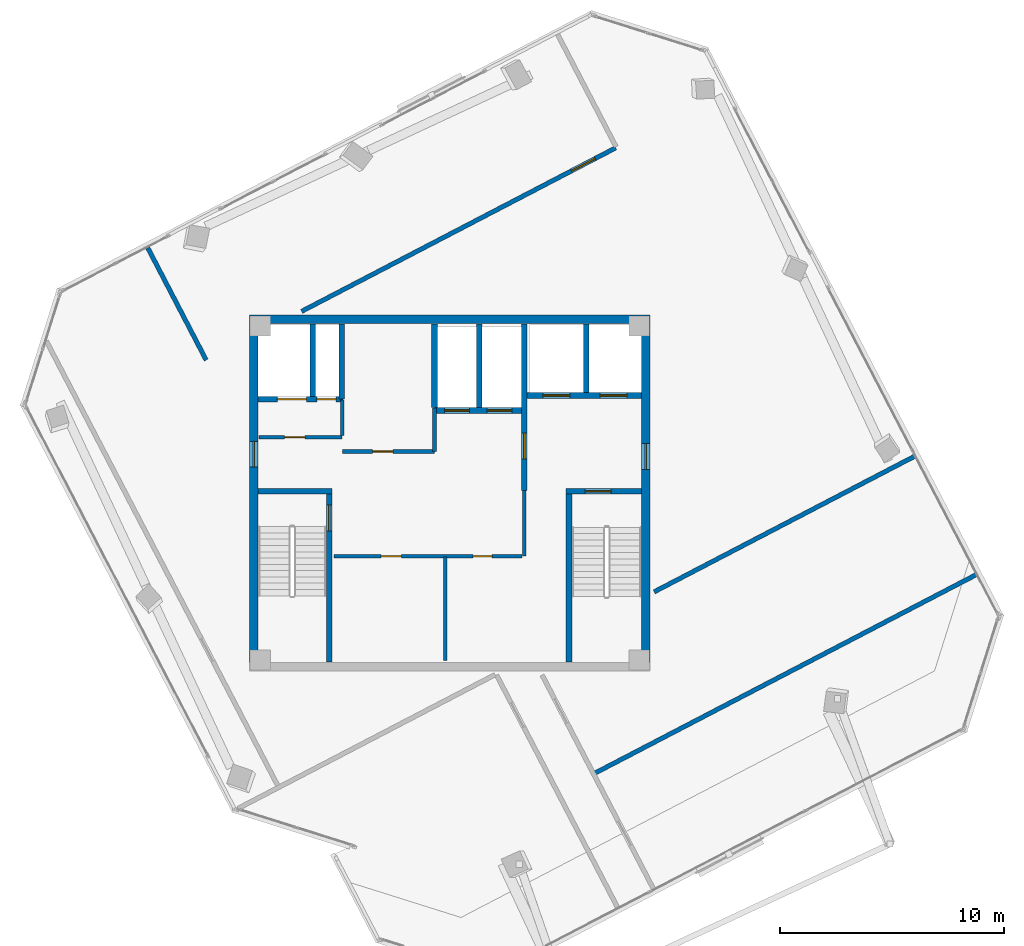
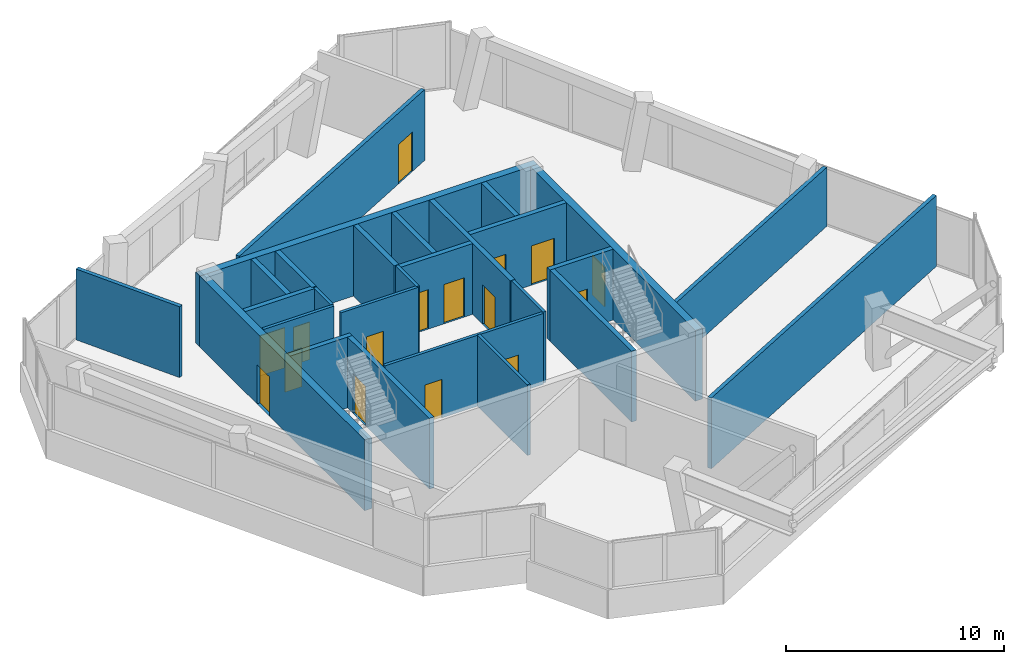
# One storey, part 12 of 16: 27 walls, 16 doors, 16 openings.
"""IFC4 building model written with IfcOpenShell, lengths in metres."""

from ifc_helpers import new_model, si_unit, direction, frame, frame_2d, origin, place, context, subcontext, project, spatial, rectangle, extrude, source, transform, mapped, material, layer, layer_set, type_object, element, fill, save


model = new_model("IFC4")

# Units and contexts
model_context = context("Model", 3, precision=1e-05, world=origin(), true_north=direction((0.0, 1.0)))
body_context = subcontext(model_context, "Body", "Model", "MODEL_VIEW")
ifc_project = project(units=[si_unit("LENGTHUNIT", "METRE"), si_unit("AREAUNIT", "SQUARE_METRE"), si_unit("VOLUMEUNIT", "CUBIC_METRE"), si_unit("PLANEANGLEUNIT", "RADIAN"), si_unit("MASSUNIT", "GRAM", prefix="KILO")], contexts=[model_context])

# Site, building, storey
site_placement = place(None, origin())
site = spatial("IfcSite", under=ifc_project, at=site_placement, CompositionType="ELEMENT")
building_placement = place(site_placement, origin())
building = spatial("IfcBuilding", under=site, at=building_placement, Name="Torre Montelarca", CompositionType="ELEMENT")
storey_placement = place(building_placement, frame((0.0, 0.0, 336.60009765625)))
storey = spatial("IfcBuildingStorey", under=building, at=storey_placement, Name="L76", CompositionType="ELEMENT", Elevation=336.60009765625)

# Wall, opening, door
ifc_material_1 = material(Name="Concrete C40/50", Category="concrete")
ifc_layer_1 = layer(ifc_material_1, 0.25, Name="Concrete C40/50", Category="concrete")
ifc_layer_set_1 = layer_set([ifc_layer_1], Name="Concrete C40/50")
wall_type_1 = type_object("IfcWallType", Name="CW-SHAFT-250", PredefinedType="SHEAR", material=ifc_layer_set_1)
wall_1_placement = place(storey_placement, frame((12.625, 24.4599609375, 0.0), z_axis=(0.0, 0.0, 1.0), x_axis=(0.0, 1.0, 0.0)))
wall_1 = element("IfcWall", 1, at=wall_1_placement, inside=storey, type_object=wall_type_1, Name="L76 Core Shear Wall SH-ST1-E", PredefinedType="SHEAR", context=body_context, shape_type="SweptSolid", body=[
    extrude(rectangle(XDim=7.489990234375, YDim=0.25, at=frame_2d((3.7451171875, 0.0))), origin(), (0.0, 0.0, 1.0), 3.9599609375),
])
opening_1_placement = place(wall_1_placement, frame((5.85009765625, 0.0, 0.0)))
opening_1 = element("IfcOpeningElement", 2, at=opening_1_placement, cuts=wall_1, Name="Opening FD-ST1", PredefinedType="OPENING", context=body_context, shape_type="SweptSolid", body=[
    extrude(rectangle(XDim=1.14990234375, YDim=2.199951171875, at=frame_2d((0.574951171875, 1.10009765625))), frame((0.0, 0.135009765625, 0.0), z_axis=(0.0, -1.0, 0.0), x_axis=(1.0, 0.0, 0.0)), (0.0, 0.0, 1.0), 0.27001953125),
])
ifc_material_2 = material(Name="Galvanized steel fire door", Category="steel")
door_type_1 = type_object("IfcDoorType", Name="DR-STAIR-115", OperationType="NOTDEFINED", PredefinedType="DOOR", material=ifc_material_2)
shared_shape_1 = source(origin(), body_context, "Body", "SweptSolid", [
    extrude(rectangle(XDim=1.14990234375, YDim=2.199951171875, at=frame_2d((0.574951171875, 1.10009765625))), frame((0.0, 0.02490234375, 0.0), z_axis=(0.0, -1.0, 0.0), x_axis=(1.0, 0.0, 0.0)), (0.0, 0.0, 1.0), 0.050048828125),
])
door_1_placement = place(opening_1_placement, origin())
door_1 = element("IfcDoor", 3, at=door_1_placement, inside=storey, type_object=door_type_1, Name="L76 Exit Stair ST1 Fire Door", OperationType="SINGLE_SWING_RIGHT", OverallHeight=2.199951171875, OverallWidth=1.14990234375, PredefinedType="DOOR", context=body_context, shape_type="MappedRepresentation", body=[
    mapped(shared_shape_1, transform((0.0, 0.0, 0.0), scale=1.0)),
])
fill(opening_1, door_1)

# Walls
wall_2_placement = place(storey_placement, frame((9.4599609375, 32.074951171875, 0.0), z_axis=(0.0, 0.0, 1.0), x_axis=(1.0, 0.0, 0.0)))
element("IfcWall", 4, at=wall_2_placement, inside=storey, type_object=wall_type_1, Name="L76 Core Shear Wall SH-ST1-N", PredefinedType="SHEAR", context=body_context, shape_type="SweptSolid", body=[
    extrude(rectangle(XDim=3.2900390625, YDim=0.25, at=frame_2d((1.64501953125, 0.0))), origin(), (0.0, 0.0, 1.0), 3.9599609375),
])
wall_3_placement = place(storey_placement, frame((23.31494140625, 24.4599609375, 0.0), z_axis=(0.0, 0.0, 1.0), x_axis=(0.0, 1.0, 0.0)))
element("IfcWall", 5, at=wall_3_placement, inside=storey, type_object=wall_type_1, Name="L76 Core Shear Wall SH-ST2-W", PredefinedType="SHEAR", context=body_context, shape_type="SweptSolid", body=[
    extrude(rectangle(XDim=7.489990234375, YDim=0.25, at=frame_2d((3.7451171875, 0.0))), origin(), (0.0, 0.0, 1.0), 3.9599609375),
])

# Wall, opening, door
wall_4_placement = place(storey_placement, frame((23.18994140625, 32.074951171875, 0.0), z_axis=(0.0, 0.0, 1.0), x_axis=(1.0, 0.0, 0.0)))
wall_4 = element("IfcWall", 6, at=wall_4_placement, inside=storey, type_object=wall_type_1, Name="L76 Core Shear Wall SH-ST2-N", PredefinedType="SHEAR", context=body_context, shape_type="SweptSolid", body=[
    extrude(rectangle(XDim=3.35009765625, YDim=0.25, at=frame_2d((1.675048828125, 0.0))), origin(), (0.0, 0.0, 1.0), 3.9599609375),
])
opening_2_placement = place(wall_4_placement, frame((0.85009765625, 0.0, 0.0)))
opening_2 = element("IfcOpeningElement", 7, at=opening_2_placement, cuts=wall_4, Name="Opening FD-ST1", PredefinedType="OPENING", context=body_context, shape_type="SweptSolid", body=[
    extrude(rectangle(XDim=1.14990234375, YDim=2.199951171875, at=frame_2d((0.574951171875, 1.10009765625))), frame((0.0, 0.135009765625, 0.0), z_axis=(0.0, -1.0, 0.0), x_axis=(1.0, 0.0, 0.0)), (0.0, 0.0, 1.0), 0.27001953125),
])
door_2_placement = place(opening_2_placement, origin())
door_2 = element("IfcDoor", 8, at=door_2_placement, inside=storey, type_object=door_type_1, Name="L76 Exit Stair ST2 Fire Door", OperationType="SINGLE_SWING_RIGHT", OverallHeight=2.199951171875, OverallWidth=1.14990234375, PredefinedType="DOOR", context=body_context, shape_type="MappedRepresentation", body=[
    mapped(shared_shape_1, transform((0.0, 0.0, 0.0), scale=1.0)),
])
fill(opening_2, door_2)

wall_5_placement = place(storey_placement, frame((21.320068359375, 32.1201171875, 0.0), z_axis=(0.0, 0.0, 1.0), x_axis=(0.0, 1.0, 0.0)))
wall_5 = element("IfcWall", 9, at=wall_5_placement, inside=storey, type_object=wall_type_1, Name="L76 Core Shear Wall SH-FFL-W", PredefinedType="SHEAR", context=body_context, shape_type="SweptSolid", body=[
    extrude(rectangle(XDim=7.419921875, YDim=0.25, at=frame_2d((3.7099609375, 0.0))), origin(), (0.0, 0.0, 1.0), 3.9599609375),
])
opening_3_placement = place(wall_5_placement, frame((1.39990234375, 0.0, 0.0)))
opening_3 = element("IfcOpeningElement", 10, at=opening_3_placement, cuts=wall_5, Name="Opening FD-LB1", PredefinedType="OPENING", context=body_context, shape_type="SweptSolid", body=[
    extrude(rectangle(XDim=1.14990234375, YDim=2.199951171875, at=frame_2d((0.574951171875, 1.10009765625))), frame((0.0, 0.135009765625, 0.0), z_axis=(0.0, -1.0, 0.0), x_axis=(1.0, 0.0, 0.0)), (0.0, 0.0, 1.0), 0.27001953125),
])
ifc_material_3 = material(Name="Acoustic timber-veneered fire door", Category="wood")
door_type_2 = type_object("IfcDoorType", Name="DR-LOBBY-115", OperationType="NOTDEFINED", PredefinedType="DOOR", material=ifc_material_3)
shared_shape_2 = source(origin(), body_context, "Body", "SweptSolid", [
    extrude(rectangle(XDim=1.14990234375, YDim=2.199951171875, at=frame_2d((0.574951171875, 1.10009765625))), frame((0.0, 0.02490234375, 0.0), z_axis=(0.0, -1.0, 0.0), x_axis=(1.0, 0.0, 0.0)), (0.0, 0.0, 1.0), 0.050048828125),
])
door_3_placement = place(opening_3_placement, origin())
door_3 = element("IfcDoor", 11, at=door_3_placement, inside=storey, type_object=door_type_2, Name="L76 Lift Lobby to Firefighting Lobby Smoke Door", OperationType="SINGLE_SWING_LEFT", OverallHeight=2.199951171875, OverallWidth=1.14990234375, PredefinedType="DOOR", context=body_context, shape_type="MappedRepresentation", body=[
    mapped(shared_shape_2, transform((0.0, 0.0, 0.0), scale=1.0)),
])
fill(opening_3, door_3)

# Wall, openings, doors
wall_6_placement = place(storey_placement, frame((9.4599609375, 36.179931640625, 0.0), z_axis=(0.0, 0.0, 1.0), x_axis=(1.0, 0.0, 0.0)))
wall_6 = element("IfcWall", 12, at=wall_6_placement, inside=storey, type_object=wall_type_1, Name="L76 Core Shear Wall SH-SV1-S", PredefinedType="SHEAR", context=body_context, shape_type="SweptSolid", body=[
    extrude(rectangle(XDim=3.7900390625, YDim=0.25, at=frame_2d((1.89501953125, 0.0))), origin(), (0.0, 0.0, 1.0), 3.9599609375),
])
opening_4_placement = place(wall_6_placement, frame((2.6201171875, 0.0, 0.0)))
opening_4 = element("IfcOpeningElement", 13, at=opening_4_placement, cuts=wall_6, Name="Opening FD-085", PredefinedType="OPENING", context=body_context, shape_type="SweptSolid", body=[
    extrude(rectangle(XDim=0.85009765625, YDim=2.10009765625, at=frame_2d((0.425048828125, 1.050048828125))), frame((0.0, 0.135009765625, 0.0), z_axis=(0.0, -1.0, 0.0), x_axis=(1.0, 0.0, 0.0)), (0.0, 0.0, 1.0), 0.27001953125),
])
opening_5_placement = place(wall_6_placement, frame((0.85009765625, 0.0, 0.0)))
opening_5 = element("IfcOpeningElement", 14, at=opening_5_placement, cuts=wall_6, Name="Opening LD-130", PredefinedType="OPENING", context=body_context, shape_type="SweptSolid", body=[
    extrude(rectangle(XDim=1.300048828125, YDim=2.25, at=frame_2d((0.64990234375, 1.125))), frame((0.0, 0.135009765625, 0.0), z_axis=(0.0, -1.0, 0.0), x_axis=(1.0, 0.0, 0.0)), (0.0, 0.0, 1.0), 0.27001953125),
])
ifc_material_4 = material(Name="Steel riser access fire door", Category="steel")
door_type_3 = type_object("IfcDoorType", Name="DR-RISER-085", OperationType="NOTDEFINED", PredefinedType="DOOR", material=ifc_material_4)
shared_shape_3 = source(origin(), body_context, "Body", "SweptSolid", [
    extrude(rectangle(XDim=0.85009765625, YDim=2.10009765625, at=frame_2d((0.425048828125, 1.050048828125))), frame((0.0, 0.02490234375, 0.0), z_axis=(0.0, -1.0, 0.0), x_axis=(1.0, 0.0, 0.0)), (0.0, 0.0, 1.0), 0.050048828125),
])
door_4_placement = place(opening_4_placement, origin())
door_4 = element("IfcDoor", 15, at=door_4_placement, inside=storey, type_object=door_type_3, Name="L76 Electrical Riser Shaft Access Door", OperationType="SINGLE_SWING_RIGHT", OverallHeight=2.10009765625, OverallWidth=0.85009765625, PredefinedType="DOOR", context=body_context, shape_type="MappedRepresentation", body=[
    mapped(shared_shape_3, transform((0.0, 0.0, 0.0), scale=1.0)),
])
fill(opening_4, door_4)
ifc_material_5 = material(Name="Brushed stainless steel AISI 316", Category="steel")
door_type_4 = type_object("IfcDoorType", Name="DR-LIFT-130", OperationType="SLIDING_TO_LEFT", PredefinedType="DOOR", material=ifc_material_5)
shared_shape_4 = source(origin(), body_context, "Body", "SweptSolid", [
    extrude(rectangle(XDim=1.300048828125, YDim=2.25, at=frame_2d((0.64990234375, 1.125))), frame((0.0, 0.02490234375, 0.0), z_axis=(0.0, -1.0, 0.0), x_axis=(1.0, 0.0, 0.0)), (0.0, 0.0, 1.0), 0.050048828125),
])
door_5_placement = place(opening_5_placement, origin())
door_5 = element("IfcDoor", 16, at=door_5_placement, inside=storey, type_object=door_type_4, Name="L76 Lift Landing Sliding Door SV-1", OperationType="SLIDING_TO_LEFT", OverallHeight=2.25, OverallWidth=1.300048828125, PredefinedType="DOOR", context=body_context, shape_type="MappedRepresentation", body=[
    mapped(shared_shape_4, transform((0.0, 0.0, 0.0), scale=1.0)),
])
fill(opening_5, door_5)

# Wall
wall_7_placement = place(storey_placement, frame((11.89990234375, 36.31005859375, 0.0), z_axis=(0.0, 0.0, 1.0), x_axis=(0.0, 1.0, 0.0)))
element("IfcWall", 17, at=wall_7_placement, inside=storey, type_object=wall_type_1, Name="L76 Core Shear Wall SH-SV1-E", PredefinedType="SHEAR", context=body_context, shape_type="SweptSolid", body=[
    extrude(rectangle(XDim=3.22998046875, YDim=0.25, at=frame_2d((1.614990234375, 0.0))), origin(), (0.0, 0.0, 1.0), 3.9599609375),
])

# Wall, openings, doors
wall_8_placement = place(storey_placement, frame((21.449951171875, 36.35009765625, 0.0), z_axis=(0.0, 0.0, 1.0), x_axis=(1.0, 0.0, 0.0)))
wall_8 = element("IfcWall", 18, at=wall_8_placement, inside=storey, type_object=wall_type_1, Name="L76 Core Shear Wall SH-FF-S", PredefinedType="SHEAR", context=body_context, shape_type="SweptSolid", body=[
    extrude(rectangle(XDim=5.090087890625, YDim=0.25, at=frame_2d((2.544921875, 0.0))), origin(), (0.0, 0.0, 1.0), 3.9599609375),
])
opening_6_placement = place(wall_8_placement, frame((0.699951171875, 0.0, 0.0)))
opening_6 = element("IfcOpeningElement", 19, at=opening_6_placement, cuts=wall_8, Name="Opening LD-120", PredefinedType="OPENING", context=body_context, shape_type="SweptSolid", body=[
    extrude(rectangle(XDim=1.199951171875, YDim=2.199951171875, at=frame_2d((0.60009765625, 1.10009765625))), frame((0.0, 0.135009765625, 0.0), z_axis=(0.0, -1.0, 0.0), x_axis=(1.0, 0.0, 0.0)), (0.0, 0.0, 1.0), 0.27001953125),
])
opening_7_placement = place(wall_8_placement, frame((3.25, 0.0, 0.0)))
opening_7 = element("IfcOpeningElement", 20, at=opening_7_placement, cuts=wall_8, Name="Opening LD-120", PredefinedType="OPENING", context=body_context, shape_type="SweptSolid", body=[
    extrude(rectangle(XDim=1.199951171875, YDim=2.199951171875, at=frame_2d((0.60009765625, 1.10009765625))), frame((0.0, 0.135009765625, 0.0), z_axis=(0.0, -1.0, 0.0), x_axis=(1.0, 0.0, 0.0)), (0.0, 0.0, 1.0), 0.27001953125),
])
door_type_5 = type_object("IfcDoorType", Name="DR-LIFT-120", OperationType="SLIDING_TO_RIGHT", PredefinedType="DOOR", material=ifc_material_5)
shared_shape_5 = source(origin(), body_context, "Body", "SweptSolid", [
    extrude(rectangle(XDim=1.199951171875, YDim=2.199951171875, at=frame_2d((0.60009765625, 1.10009765625))), frame((0.0, 0.02490234375, 0.0), z_axis=(0.0, -1.0, 0.0), x_axis=(1.0, 0.0, 0.0)), (0.0, 0.0, 1.0), 0.050048828125),
])
door_6_placement = place(opening_6_placement, origin())
door_6 = element("IfcDoor", 21, at=door_6_placement, inside=storey, type_object=door_type_5, Name="L76 Lift Landing Sliding Door FF-1", OperationType="SLIDING_TO_LEFT", OverallHeight=2.199951171875, OverallWidth=1.199951171875, PredefinedType="DOOR", context=body_context, shape_type="MappedRepresentation", body=[
    mapped(shared_shape_5, transform((0.0, 0.0, 0.0), scale=1.0)),
])
fill(opening_6, door_6)
door_7_placement = place(opening_7_placement, origin())
door_7 = element("IfcDoor", 22, at=door_7_placement, inside=storey, type_object=door_type_5, Name="L76 Lift Landing Sliding Door FF-2", OperationType="SLIDING_TO_RIGHT", OverallHeight=2.199951171875, OverallWidth=1.199951171875, PredefinedType="DOOR", context=body_context, shape_type="MappedRepresentation", body=[
    mapped(shared_shape_5, transform((0.0, 0.0, 0.0), scale=1.0)),
])
fill(opening_7, door_7)

# Walls
wall_9_placement = place(storey_placement, frame((24.080078125, 36.47998046875, 0.0), z_axis=(0.0, 0.0, 1.0), x_axis=(0.0, 1.0, 0.0)))
element("IfcWall", 23, at=wall_9_placement, inside=storey, type_object=wall_type_1, Name="L76 Core Shear Wall SH-FF-M", PredefinedType="SHEAR", context=body_context, shape_type="SweptSolid", body=[
    extrude(rectangle(XDim=3.06005859375, YDim=0.25, at=frame_2d((1.530029296875, 0.0))), origin(), (0.0, 0.0, 1.0), 3.9599609375),
])
wall_10_placement = place(storey_placement, frame((13.179931640625, 36.199951171875, 0.0), z_axis=(0.0, 0.0, 1.0), x_axis=(0.0, 1.0, 0.0)))
element("IfcWall", 24, at=wall_10_placement, inside=storey, type_object=wall_type_1, Name="L76 Core Shear Wall SH-RSR1-E", PredefinedType="SHEAR", context=body_context, shape_type="SweptSolid", body=[
    extrude(rectangle(XDim=3.340087890625, YDim=0.25, at=frame_2d((1.669921875, 0.0))), origin(), (0.0, 0.0, 1.0), 3.9599609375),
])

# Wall, openings, doors
wall_11_placement = place(storey_placement, frame((17.320068359375, 35.679931640625, 0.0), z_axis=(0.0, 0.0, 1.0), x_axis=(1.0, 0.0, 0.0)))
wall_11 = element("IfcWall", 25, at=wall_11_placement, inside=storey, type_object=wall_type_1, Name="L76 Core Shear Wall SH-PLH-S", PredefinedType="SHEAR", context=body_context, shape_type="SweptSolid", body=[
    extrude(rectangle(XDim=3.869873046875, YDim=0.25, at=frame_2d((1.93505859375, 0.0))), origin(), (0.0, 0.0, 1.0), 3.9599609375),
])
opening_8_placement = place(wall_11_placement, frame((0.449951171875, 0.0, 0.0)))
opening_8 = element("IfcOpeningElement", 26, at=opening_8_placement, cuts=wall_11, Name="Opening LD-110", PredefinedType="OPENING", context=body_context, shape_type="SweptSolid", body=[
    extrude(rectangle(XDim=1.10009765625, YDim=2.199951171875, at=frame_2d((0.550048828125, 1.10009765625))), frame((0.0, 0.135009765625, 0.0), z_axis=(0.0, -1.0, 0.0), x_axis=(1.0, 0.0, 0.0)), (0.0, 0.0, 1.0), 0.27001953125),
])
opening_9_placement = place(wall_11_placement, frame((2.35009765625, 0.0, 0.0)))
opening_9 = element("IfcOpeningElement", 27, at=opening_9_placement, cuts=wall_11, Name="Opening LD-110", PredefinedType="OPENING", context=body_context, shape_type="SweptSolid", body=[
    extrude(rectangle(XDim=1.10009765625, YDim=2.199951171875, at=frame_2d((0.550048828125, 1.10009765625))), frame((0.0, 0.135009765625, 0.0), z_axis=(0.0, -1.0, 0.0), x_axis=(1.0, 0.0, 0.0)), (0.0, 0.0, 1.0), 0.27001953125),
])
door_type_6 = type_object("IfcDoorType", Name="DR-LIFT-110", OperationType="SLIDING_TO_LEFT", PredefinedType="DOOR", material=ifc_material_5)
shared_shape_6 = source(origin(), body_context, "Body", "SweptSolid", [
    extrude(rectangle(XDim=1.10009765625, YDim=2.199951171875, at=frame_2d((0.550048828125, 1.10009765625))), frame((0.0, 0.02490234375, 0.0), z_axis=(0.0, -1.0, 0.0), x_axis=(1.0, 0.0, 0.0)), (0.0, 0.0, 1.0), 0.050048828125),
])
door_8_placement = place(opening_8_placement, origin())
door_8 = element("IfcDoor", 28, at=door_8_placement, inside=storey, type_object=door_type_6, Name="L76 Lift Landing Sliding Door PL-H1", OperationType="SLIDING_TO_LEFT", OverallHeight=2.199951171875, OverallWidth=1.10009765625, PredefinedType="DOOR", context=body_context, shape_type="MappedRepresentation", body=[
    mapped(shared_shape_6, transform((0.0, 0.0, 0.0), scale=1.0)),
])
fill(opening_8, door_8)
door_9_placement = place(opening_9_placement, origin())
door_9 = element("IfcDoor", 29, at=door_9_placement, inside=storey, type_object=door_type_6, Name="L76 Lift Landing Sliding Door PL-H2", OperationType="SLIDING_TO_RIGHT", OverallHeight=2.199951171875, OverallWidth=1.10009765625, PredefinedType="DOOR", context=body_context, shape_type="MappedRepresentation", body=[
    mapped(shared_shape_6, transform((0.0, 0.0, 0.0), scale=1.0)),
])
fill(opening_9, door_9)

# Walls
for number, where, z_axis, x_axis, name in (
    (30, (17.320068359375, 35.81005859375, 0.0), (0.0, 0.0, 1.0), (0.0, 1.0, 0.0), "L76 Core Shear Wall SH-PLH-W"),
    (31, (19.320068359375, 35.81005859375, 0.0), (0.0, 0.0, 1.0), (0.0, 1.0, 0.0), "L76 Core Shear Wall SH-PLH-M"),
):
    element("IfcWall", number, at=place(storey_placement, frame(where, z_axis=z_axis, x_axis=x_axis)), inside=storey, type_object=wall_type_1, Name=name, PredefinedType="SHEAR", context=body_context, shape_type="SweptSolid", body=[
        extrude(rectangle(XDim=3.72998046875, YDim=0.25, at=frame_2d((1.864990234375, 0.0))), origin(), (0.0, 0.0, 1.0), 3.9599609375),
    ])

# Wall, opening, door
ifc_layer_2 = layer(ifc_material_1, 0.3798828125, Name="Concrete C40/50", Category="concrete")
ifc_layer_set_2 = layer_set([ifc_layer_2], Name="Concrete C40/50")
wall_type_2 = type_object("IfcWallType", Name="CW-SHEAR-380", PredefinedType="SHEAR", material=ifc_layer_set_2)
wall_12_placement = place(storey_placement, frame((9.260009765625, 24.449951171875, 0.0), z_axis=(0.0, 0.0, 1.0), x_axis=(0.0, 1.0, 0.0)))
wall_12 = element("IfcWall", 32, at=wall_12_placement, inside=storey, type_object=wall_type_2, Name="L76 Core Shear Wall CW-W", PredefinedType="SHEAR", context=body_context, shape_type="SweptSolid", body=[
    extrude(rectangle(XDim=15.10009765625, YDim=0.3798828125, at=frame_2d((7.550048828125, 0.0))), origin(), (0.0, 0.0, 1.0), 3.9599609375),
])
opening_10_placement = place(wall_12_placement, frame((8.699951171875, 0.0, 0.0)))
opening_10 = element("IfcOpeningElement", 33, at=opening_10_placement, cuts=wall_12, Name="Opening FD-LB1", PredefinedType="OPENING", context=body_context, shape_type="SweptSolid", body=[
    extrude(rectangle(XDim=1.14990234375, YDim=2.199951171875, at=frame_2d((0.574951171875, 1.10009765625))), frame((0.0, 0.199951171875, 0.0), z_axis=(0.0, -1.0, 0.0), x_axis=(1.0, 0.0, 0.0)), (0.0, 0.0, 1.0), 0.39990234375),
])
door_10_placement = place(opening_10_placement, origin())
door_10 = element("IfcDoor", 34, at=door_10_placement, inside=storey, type_object=door_type_2, Name="L76 Passenger Lift Lobby West Corridor Fire Door", OperationType="SINGLE_SWING_RIGHT", OverallHeight=2.199951171875, OverallWidth=1.14990234375, PredefinedType="DOOR", context=body_context, shape_type="MappedRepresentation", body=[
    mapped(shared_shape_2, transform((0.0, 0.0, 0.0), scale=1.0)),
])
fill(opening_10, door_10)

wall_13_placement = place(storey_placement, frame((26.739990234375, 24.449951171875, 0.0), z_axis=(0.0, 0.0, 1.0), x_axis=(0.0, 1.0, 0.0)))
wall_13 = element("IfcWall", 35, at=wall_13_placement, inside=storey, type_object=wall_type_2, Name="L76 Core Shear Wall CW-E", PredefinedType="SHEAR", context=body_context, shape_type="SweptSolid", body=[
    extrude(rectangle(XDim=15.10009765625, YDim=0.3798828125, at=frame_2d((7.550048828125, 0.0))), origin(), (0.0, 0.0, 1.0), 3.9599609375),
])
opening_11_placement = place(wall_13_placement, frame((8.60009765625, 0.0, 0.0)))
opening_11 = element("IfcOpeningElement", 36, at=opening_11_placement, cuts=wall_13, Name="Opening FD-LB1", PredefinedType="OPENING", context=body_context, shape_type="SweptSolid", body=[
    extrude(rectangle(XDim=1.14990234375, YDim=2.199951171875, at=frame_2d((0.574951171875, 1.10009765625))), frame((0.0, 0.199951171875, 0.0), z_axis=(0.0, -1.0, 0.0), x_axis=(1.0, 0.0, 0.0)), (0.0, 0.0, 1.0), 0.39990234375),
])
door_11_placement = place(opening_11_placement, origin())
door_11 = element("IfcDoor", 37, at=door_11_placement, inside=storey, type_object=door_type_2, Name="L76 Firefighting Lift Lobby Corridor Fire Door", OperationType="SINGLE_SWING_RIGHT", OverallHeight=2.199951171875, OverallWidth=1.14990234375, PredefinedType="DOOR", context=body_context, shape_type="MappedRepresentation", body=[
    mapped(shared_shape_2, transform((0.0, 0.0, 0.0), scale=1.0)),
])
fill(opening_11, door_11)

# Wall
wall_14_placement = place(storey_placement, frame((9.070068359375, 39.739990234375, 0.0), z_axis=(0.0, 0.0, 1.0), x_axis=(1.0, 0.0, 0.0)))
element("IfcWall", 38, at=wall_14_placement, inside=storey, type_object=wall_type_2, Name="L76 Core Shear Wall CW-N1", PredefinedType="SHEAR", context=body_context, shape_type="SweptSolid", body=[
    extrude(rectangle(XDim=17.85986328125, YDim=0.3798828125, at=frame_2d((8.929931640625, 0.0))), origin(), (0.0, 0.0, 1.0), 3.9599609375),
])

# Wall, opening, door
ifc_material_6 = material(Name="Gypsum plasterboard on steel stud", Category="steel")
ifc_layer_3 = layer(ifc_material_6, 0.159912109375, Name="Gypsum plasterboard on steel stud", Category="steel")
ifc_layer_set_3 = layer_set([ifc_layer_3], Name="Gypsum plasterboard on steel stud")
wall_type_3 = type_object("IfcWallType", Name="PW-FIRE-160", PredefinedType="PARTITIONING", material=ifc_layer_set_3)
wall_15_placement = place(storey_placement, frame((9.489990234375, 34.47998046875, 0.0), z_axis=(0.0, 0.0, 1.0), x_axis=(1.0, 0.0, 0.0)))
wall_15 = element("IfcWall", 39, at=wall_15_placement, inside=storey, type_object=wall_type_3, Name="L76 Interior Partition CW-L76-SVS", PredefinedType="PARTITIONING", context=body_context, shape_type="SweptSolid", body=[
    extrude(rectangle(XDim=3.699951171875, YDim=0.159912109375, at=frame_2d((1.85009765625, 0.0))), origin(), (0.0, 0.0, 1.0), 3.9599609375),
])
opening_12_placement = place(wall_15_placement, frame((1.14990234375, 0.0, 0.0)))
opening_12 = element("IfcOpeningElement", 40, at=opening_12_placement, cuts=wall_15, Name="Opening FD-090", PredefinedType="OPENING", context=body_context, shape_type="SweptSolid", body=[
    extrude(rectangle(XDim=0.89990234375, YDim=2.14990234375, at=frame_2d((0.449951171875, 1.074951171875))), frame((0.0, 0.08984375, 0.0), z_axis=(0.0, -1.0, 0.0), x_axis=(1.0, 0.0, 0.0)), (0.0, 0.0, 1.0), 0.179931640625),
])
ifc_material_7 = material(Name="Steel service fire door", Category="steel")
door_type_7 = type_object("IfcDoorType", Name="DR-FIRE-090", OperationType="NOTDEFINED", PredefinedType="DOOR", material=ifc_material_7)
shared_shape_7 = source(origin(), body_context, "Body", "SweptSolid", [
    extrude(rectangle(XDim=0.89990234375, YDim=2.14990234375, at=frame_2d((0.449951171875, 1.074951171875))), frame((0.0, 0.02490234375, 0.0), z_axis=(0.0, -1.0, 0.0), x_axis=(1.0, 0.0, 0.0)), (0.0, 0.0, 1.0), 0.050048828125),
])
door_12_placement = place(opening_12_placement, origin())
door_12 = element("IfcDoor", 41, at=door_12_placement, inside=storey, type_object=door_type_7, Name="L76 Interior Door 01", OperationType="SINGLE_SWING_RIGHT", OverallHeight=2.14990234375, OverallWidth=0.89990234375, PredefinedType="DOOR", context=body_context, shape_type="MappedRepresentation", body=[
    mapped(shared_shape_7, transform((0.0, 0.0, 0.0), scale=1.0)),
])
fill(opening_12, door_12)

# Wall
wall_16_placement = place(storey_placement, frame((13.199951171875, 34.570068359375, 0.0), z_axis=(0.0, 0.0, 1.0), x_axis=(0.0, 1.0, 0.0)))
element("IfcWall", 42, at=wall_16_placement, inside=storey, type_object=wall_type_3, Name="L76 Interior Partition CW-L76-SVE", PredefinedType="PARTITIONING", context=body_context, shape_type="SweptSolid", body=[
    extrude(rectangle(XDim=1.56982421875, YDim=0.159912109375, at=frame_2d((0.784912109375, 0.0))), origin(), (0.0, 0.0, 1.0), 3.9599609375),
])

# Wall, opening, door
wall_17_placement = place(storey_placement, frame((13.2099609375, 33.85009765625, 0.0), z_axis=(0.0, 0.0, 1.0), x_axis=(1.0, 0.0, 0.0)))
wall_17 = element("IfcWall", 43, at=wall_17_placement, inside=storey, type_object=wall_type_3, Name="L76 Interior Partition CW-L76-FRMS", PredefinedType="PARTITIONING", context=body_context, shape_type="SweptSolid", body=[
    extrude(rectangle(XDim=4.10009765625, YDim=0.159912109375, at=frame_2d((2.050048828125, 0.0))), origin(), (0.0, 0.0, 1.0), 3.9599609375),
])
opening_13_placement = place(wall_17_placement, frame((1.35009765625, 0.0, 0.0)))
opening_13 = element("IfcOpeningElement", 44, at=opening_13_placement, cuts=wall_17, Name="Opening FD-090", PredefinedType="OPENING", context=body_context, shape_type="SweptSolid", body=[
    extrude(rectangle(XDim=0.89990234375, YDim=2.14990234375, at=frame_2d((0.449951171875, 1.074951171875))), frame((0.0, 0.08984375, 0.0), z_axis=(0.0, -1.0, 0.0), x_axis=(1.0, 0.0, 0.0)), (0.0, 0.0, 1.0), 0.179931640625),
])
door_13_placement = place(opening_13_placement, origin())
door_13 = element("IfcDoor", 45, at=door_13_placement, inside=storey, type_object=door_type_7, Name="L76 Interior Door 02", OperationType="SINGLE_SWING_LEFT", OverallHeight=2.14990234375, OverallWidth=0.89990234375, PredefinedType="DOOR", context=body_context, shape_type="MappedRepresentation", body=[
    mapped(shared_shape_7, transform((0.0, 0.0, 0.0), scale=1.0)),
])
fill(opening_13, door_13)

# Wall
wall_18_placement = place(storey_placement, frame((17.320068359375, 33.860107421875, 0.0), z_axis=(0.0, 0.0, 1.0), x_axis=(0.0, 1.0, 0.0)))
element("IfcWall", 46, at=wall_18_placement, inside=storey, type_object=wall_type_3, Name="L76 Interior Partition CW-L76-FRME", PredefinedType="PARTITIONING", context=body_context, shape_type="SweptSolid", body=[
    extrude(rectangle(XDim=1.929931640625, YDim=0.159912109375, at=frame_2d((0.96484375, 0.0))), origin(), (0.0, 0.0, 1.0), 3.9599609375),
])

# Wall, openings, doors
wall_19_placement = place(storey_placement, frame((12.840087890625, 29.179931640625, 0.0), z_axis=(0.0, 0.0, 1.0), x_axis=(1.0, 0.0, 0.0)))
wall_19 = element("IfcWall", 47, at=wall_19_placement, inside=storey, type_object=wall_type_3, Name="L76 Interior Partition CW-L76-FRDN", PredefinedType="PARTITIONING", context=body_context, shape_type="SweptSolid", body=[
    extrude(rectangle(XDim=8.369873046875, YDim=0.159912109375, at=frame_2d((4.18505859375, 0.0))), origin(), (0.0, 0.0, 1.0), 3.9599609375),
])
opening_14_placement = place(wall_19_placement, frame((2.10009765625, 0.0, 0.0)))
opening_14 = element("IfcOpeningElement", 48, at=opening_14_placement, cuts=wall_19, Name="Opening FD-090", PredefinedType="OPENING", context=body_context, shape_type="SweptSolid", body=[
    extrude(rectangle(XDim=0.89990234375, YDim=2.14990234375, at=frame_2d((0.449951171875, 1.074951171875))), frame((0.0, 0.08984375, 0.0), z_axis=(0.0, -1.0, 0.0), x_axis=(1.0, 0.0, 0.0)), (0.0, 0.0, 1.0), 0.179931640625),
])
opening_15_placement = place(wall_19_placement, frame((6.199951171875, 0.0, 0.0)))
opening_15 = element("IfcOpeningElement", 49, at=opening_15_placement, cuts=wall_19, Name="Opening FD-085", PredefinedType="OPENING", context=body_context, shape_type="SweptSolid", body=[
    extrude(rectangle(XDim=0.85009765625, YDim=2.10009765625, at=frame_2d((0.425048828125, 1.050048828125))), frame((0.0, 0.08984375, 0.0), z_axis=(0.0, -1.0, 0.0), x_axis=(1.0, 0.0, 0.0)), (0.0, 0.0, 1.0), 0.179931640625),
])
door_14_placement = place(opening_15_placement, origin())
door_14 = element("IfcDoor", 50, at=door_14_placement, inside=storey, type_object=door_type_3, Name="L76 Interior Door 04", OperationType="SINGLE_SWING_LEFT", OverallHeight=2.10009765625, OverallWidth=0.85009765625, PredefinedType="DOOR", context=body_context, shape_type="MappedRepresentation", body=[
    mapped(shared_shape_3, transform((0.0, 0.0, 0.0), scale=1.0)),
])
fill(opening_15, door_14)
door_15_placement = place(opening_14_placement, origin())
door_15 = element("IfcDoor", 51, at=door_15_placement, inside=storey, type_object=door_type_7, Name="L76 Interior Door 03", OperationType="SINGLE_SWING_RIGHT", OverallHeight=2.14990234375, OverallWidth=0.89990234375, PredefinedType="DOOR", context=body_context, shape_type="MappedRepresentation", body=[
    mapped(shared_shape_7, transform((0.0, 0.0, 0.0), scale=1.0)),
])
fill(opening_14, door_15)

# Walls
wall_20_placement = place(storey_placement, frame((17.800048828125, 24.5400390625, 0.0), z_axis=(0.0, 0.0, 1.0), x_axis=(0.0, 1.0, 0.0)))
element("IfcWall", 52, at=wall_20_placement, inside=storey, type_object=wall_type_3, Name="L76 Interior Partition CW-L76-FRD1", PredefinedType="PARTITIONING", context=body_context, shape_type="SweptSolid", body=[
    extrude(rectangle(XDim=4.599853515625, YDim=0.159912109375, at=frame_2d((2.2998046875, 0.0))), origin(), (0.0, 0.0, 1.0), 3.9599609375),
])
wall_21_placement = place(storey_placement, frame((21.320068359375, 29.18994140625, 0.0), z_axis=(0.0, 0.0, 1.0), x_axis=(0.0, 1.0, 0.0)))
element("IfcWall", 53, at=wall_21_placement, inside=storey, type_object=wall_type_3, Name="L76 Interior Partition CW-L76-FRE", PredefinedType="PARTITIONING", context=body_context, shape_type="SweptSolid", body=[
    extrude(rectangle(XDim=2.920166015625, YDim=0.159912109375, at=frame_2d((1.4599609375, 0.0))), origin(), (0.0, 0.0, 1.0), 3.9599609375),
])
ifc_material_8 = material(Name="Gypsum fireboard and rockwool on steel stud", Category="steel")
ifc_layer_4 = layer(ifc_material_8, 0.199951171875, Name="Gypsum fireboard and rockwool on steel stud", Category="steel")
ifc_layer_set_4 = layer_set([ifc_layer_4], Name="Gypsum fireboard and rockwool on steel stud")
wall_type_4 = type_object("IfcWallType", Name="PW-FIRE-200", PredefinedType="SOLIDWALL", material=ifc_layer_set_4)
wall_22_placement = place(storey_placement, frame((27.115478515625, 27.59521484375, 0.0), z_axis=(0.0, 0.0, 1.0), x_axis=(0.887009705962, 0.46175077859, 0.0)))
element("IfcWall", 54, at=wall_22_placement, inside=storey, type_object=wall_type_4, Name="L76 Interior Partition W-L76-PAHUW", PredefinedType="SOLIDWALL", context=body_context, shape_type="SweptSolid", body=[
    extrude(rectangle(XDim=13.07275390625, YDim=0.199951171875, at=frame_2d((6.536376953125, 0.0))), origin(), (0.0, 0.0, 1.0), 3.294921875),
])
wall_23_placement = place(storey_placement, frame((24.44580078125, 19.49755859375, 0.0), z_axis=(0.0, 0.0, 1.0), x_axis=(0.887009346917, 0.461751468304, 0.0)))
element("IfcWall", 55, at=wall_23_placement, inside=storey, type_object=wall_type_4, Name="L76 Interior Partition W-L76-AHUD", PredefinedType="SOLIDWALL", context=body_context, shape_type="SweptSolid", body=[
    extrude(rectangle(XDim=19.18017578125, YDim=0.199951171875, at=frame_2d((9.590087890625, 0.0))), origin(), (0.0, 0.0, 1.0), 3.9599609375),
])
wall_24_placement = place(storey_placement, frame((4.5400390625, 42.9228515625, 0.0), z_axis=(0.0, 0.0, 1.0), x_axis=(0.461759584335, -0.887005121899, 0.0)))
element("IfcWall", 56, at=wall_24_placement, inside=storey, type_object=wall_type_4, Name="L76 Interior Partition W-L76-ELECS", PredefinedType="SOLIDWALL", context=body_context, shape_type="SweptSolid", body=[
    extrude(rectangle(XDim=5.6298828125, YDim=0.199951171875, at=frame_2d((2.81494140625, 0.0))), origin(), (0.0, 0.0, 1.0), 3.9599609375),
])

# Wall, opening, door
wall_25_placement = place(storey_placement, frame((11.393798828125, 40.098388671875, 0.0), z_axis=(0.0, 0.0, 1.0), x_axis=(0.887004496891, 0.461760784925, 0.0)))
wall_25 = element("IfcWall", 57, at=wall_25_placement, inside=storey, type_object=wall_type_4, Name="L76 Interior Partition W-L76-ELECE", PredefinedType="SOLIDWALL", context=body_context, shape_type="SweptSolid", body=[
    extrude(rectangle(XDim=15.784912109375, YDim=0.199951171875, at=frame_2d((7.892578125, 0.0))), origin(), (0.0, 0.0, 1.0), 3.9599609375),
])
opening_16_placement = place(wall_25_placement, frame((13.56005859375, 0.0, 0.0)))
opening_16 = element("IfcOpeningElement", 58, at=opening_16_placement, cuts=wall_25, Name="Opening FD-120", PredefinedType="OPENING", context=body_context, shape_type="SweptSolid", body=[
    extrude(rectangle(XDim=1.199951171875, YDim=2.199951171875, at=frame_2d((0.60009765625, 1.10009765625))), frame((0.0, 0.10986328125, 0.0), z_axis=(0.0, -1.0, 0.0), x_axis=(1.0, 0.0, 0.0)), (0.0, 0.0, 1.0), 0.219970703125),
])
door_type_8 = type_object("IfcDoorType", Name="DR-FIRE-120", OperationType="NOTDEFINED", PredefinedType="DOOR", material=ifc_material_2)
shared_shape_8 = source(origin(), body_context, "Body", "SweptSolid", [
    extrude(rectangle(XDim=1.199951171875, YDim=2.199951171875, at=frame_2d((0.60009765625, 1.10009765625))), frame((0.0, 0.02490234375, 0.0), z_axis=(0.0, -1.0, 0.0), x_axis=(1.0, 0.0, 0.0)), (0.0, 0.0, 1.0), 0.050048828125),
])
door_16_placement = place(opening_16_placement, origin())
door_16 = element("IfcDoor", 59, at=door_16_placement, inside=storey, type_object=door_type_8, Name="L76 Interior Door 09", OperationType="SINGLE_SWING_RIGHT", OverallHeight=2.199951171875, OverallWidth=1.199951171875, PredefinedType="DOOR", context=body_context, shape_type="MappedRepresentation", body=[
    mapped(shared_shape_8, transform((0.0, 0.0, 0.0), scale=1.0)),
])
fill(opening_16, door_16)

save(model, "model.ifc")
